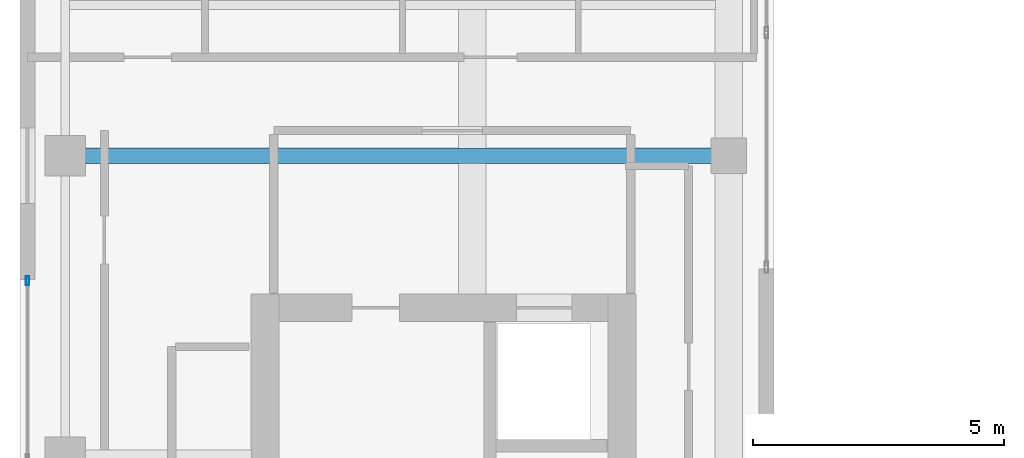
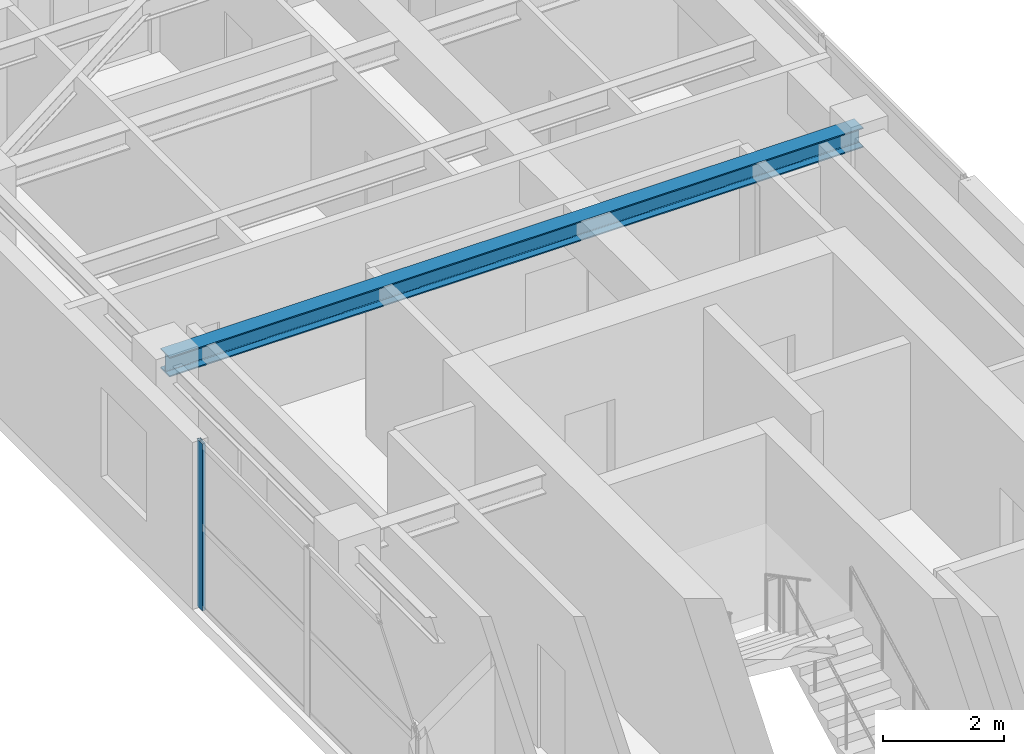
# One storey, part 7 of 22: 1 beam, 1 member, 1 element without a shape of its own.
"""IFC4 building model written with IfcOpenShell, lengths in metres."""

from ifc_helpers import new_model, si_unit, direction, frame, origin, origin_2d, place, context, subcontext, project, spatial, hollow_rectangle, i_section, extrude, source, transform, mapped, material, layer, layer_set, material_profile, profile_set, type_object, element, aggregate, save


model = new_model("IFC4")

# Units and contexts
model_context = context("Model", 3, precision=1e-05, world=origin(), true_north=direction((0.0, 1.0)))
body_context = subcontext(model_context, "Body", "Model", "MODEL_VIEW")
ifc_project = project(units=[si_unit("LENGTHUNIT", "METRE"), si_unit("AREAUNIT", "SQUARE_METRE"), si_unit("VOLUMEUNIT", "CUBIC_METRE"), si_unit("PLANEANGLEUNIT", "RADIAN"), si_unit("MASSUNIT", "GRAM", prefix="KILO")], contexts=[model_context])

# Site, building, storey
site_placement = place(None, origin())
site = spatial("IfcSite", under=ifc_project, at=site_placement, CompositionType="ELEMENT")
building_placement = place(site_placement, origin())
building = spatial("IfcBuilding", under=site, at=building_placement, Name="Khoralis Quay Care Tower", CompositionType="ELEMENT")
storey_placement = place(building_placement, frame((0.0, 0.0, 260.10009765625)))
storey = spatial("IfcBuildingStorey", under=building, at=storey_placement, Name="L68", CompositionType="ELEMENT", Elevation=260.10009765625)

# Beam
ifc_material_1 = material(Name="Steel S355", Category="steel")
ifc_material_profile_1 = material_profile(ifc_material_1, i_section(OverallWidth=0.300048828125, OverallDepth=0.39990234375, WebThickness=0.013427734375, FlangeThickness=0.02392578125, FilletRadius=0.027099609375, at=origin_2d()), Name="Steel S355")
ifc_profile_set_1 = profile_set([ifc_material_profile_1], Name="Steel S355")
beam_type = type_object("IfcBeamType", Name="BM-HEB400", PredefinedType="BEAM", material=ifc_profile_set_1)
shared_shape_1 = source(origin(), body_context, "Body", "SweptSolid", [
    extrude(i_section(OverallWidth=0.300048828125, OverallDepth=0.39990234375, WebThickness=0.013427734375, FlangeThickness=0.02392578125, FilletRadius=0.027099609375, at=origin_2d()), origin(), (0.0, 0.0, 1.0), 13.2001953125),
])
beam_placement = place(storey_placement, frame((3.89990234375, 30.0, 3.159912109375), z_axis=(1.0, 0.0, 0.0), x_axis=(0.0, 1.0, 0.0)))
element("IfcBeam", 1, at=beam_placement, inside=storey, type_object=beam_type, Name="BM-TGXW-L68-300", PredefinedType="BEAM", context=body_context, shape_type="MappedRepresentation", body=[
    mapped(shared_shape_1, transform((0.0, 0.0, 0.0), scale=1.0)),
])

# Curtain wall, member
ifc_material_2 = material(Name="Pale anodised aluminium", Category="aluminium")
ifc_layer = layer(ifc_material_2, 0.159912109375)
ifc_layer_set = layer_set([ifc_layer], Name="Pale anodised aluminium")
curtain_wall_type = type_object("IfcCurtainWallType", Name="CW-SYS-Z3", PredefinedType="NOTDEFINED", material=ifc_layer_set)
curtain_wall_placement = place(storey_placement, origin())
curtain_wall = element("IfcCurtainWall", 2, at=curtain_wall_placement, inside=storey, type_object=curtain_wall_type, Name="L68 Unitised Curtain Wall CW-L68-P1-E7", PredefinedType="NOTDEFINED")
ifc_material_profile_2 = material_profile(ifc_material_2, hollow_rectangle(XDim=0.06494140625, YDim=0.179931640625, WallThickness=0.00390625, at=origin_2d()), Name="Pale anodised aluminium")
ifc_profile_set_2 = profile_set([ifc_material_profile_2], Name="Pale anodised aluminium")
member_type = type_object("IfcMemberType", Name="CW-MUL-180", PredefinedType="MULLION", material=ifc_profile_set_2)
shared_shape_2 = source(origin(), body_context, "Body", "SweptSolid", [
    extrude(hollow_rectangle(XDim=0.06494140625, YDim=0.179931640625, WallThickness=0.00390625, at=origin_2d()), origin(), (0.0, 0.0, 1.0), 3.35986328125),
])
member_placement = place(storey_placement, frame((3.14990234375, 27.510009765625, 0.0), z_axis=(0.0, 0.0, 1.0), x_axis=(1.0, 0.0, 0.0)))
member = element("IfcMember", 3, at=member_placement, type_object=member_type, Name="CW3 mullion 1", PredefinedType="MULLION", context=body_context, shape_type="MappedRepresentation", body=[
    mapped(shared_shape_2, transform((0.0, 0.0, 0.0), scale=1.0)),
])
aggregate(curtain_wall, [member])

save(model, "model.ifc")
